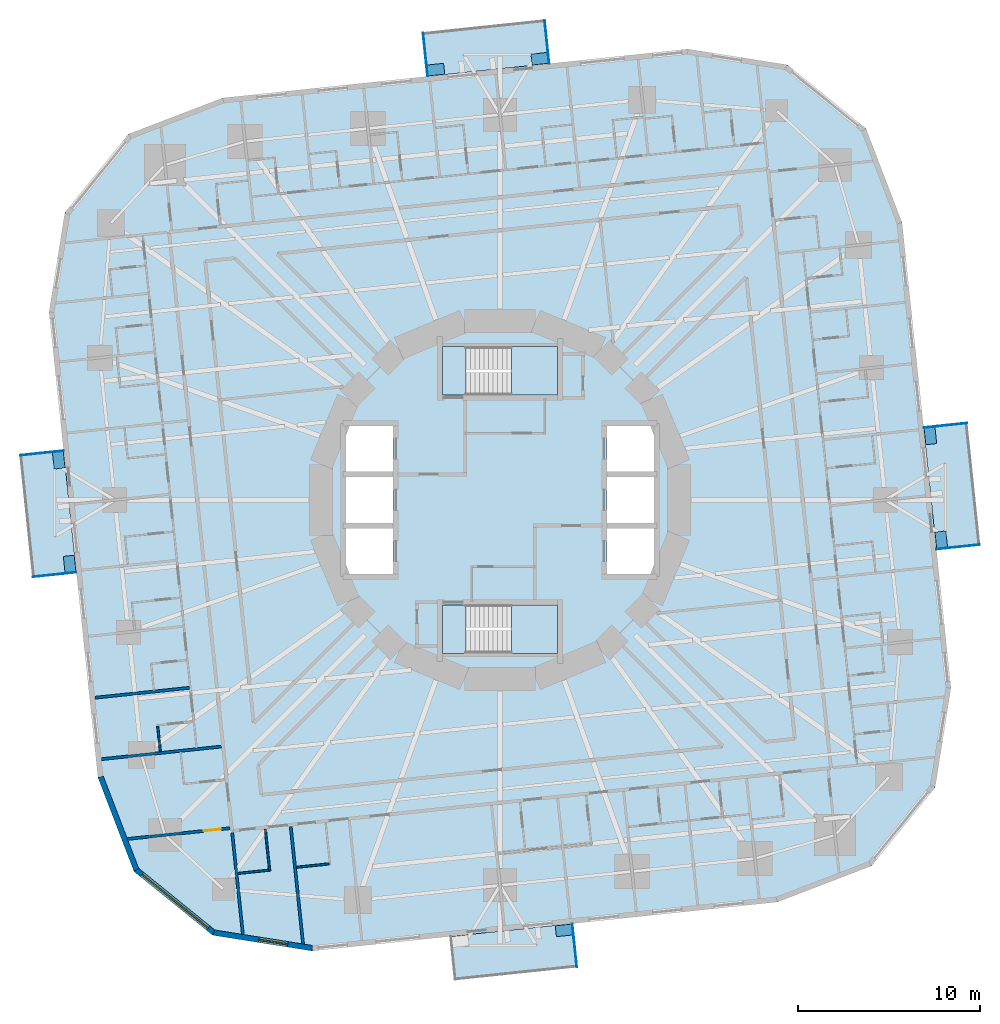
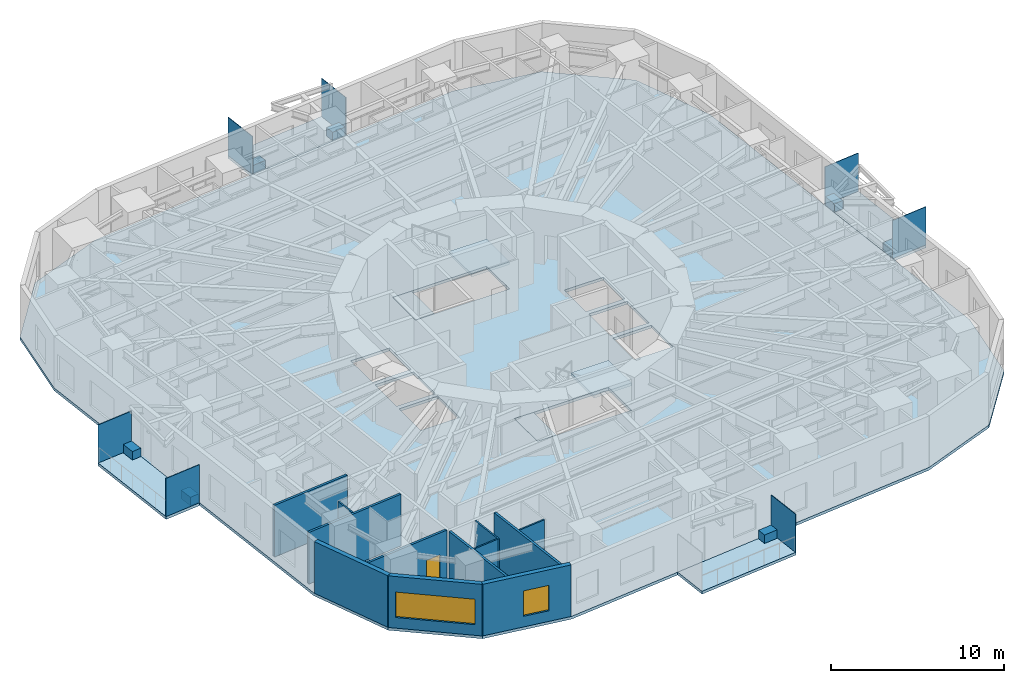
# One storey, part 4 of 15: 14 plates, 12 walls, 9 slabs, 2 windows, 1 door, 3 openings, 2 elements without a shape of their own.
"""IFC4 building model written with IfcOpenShell, lengths in metres."""

from ifc_helpers import new_model, si_unit, direction, frame, frame_2d, origin, origin_2d, place, context, subcontext, project, spatial, polyline, rectangle, outline, extrude, material, layer, layer_set, type_object, element, fill, aggregate, save


model = new_model("IFC4")

# Units and contexts
model_context = context("Model", 3, precision=1e-05, world=origin(), true_north=direction((0.0, 1.0)))
body_context = subcontext(model_context, "Body", "Model", "MODEL_VIEW")
ifc_project = project(units=[si_unit("LENGTHUNIT", "METRE"), si_unit("AREAUNIT", "SQUARE_METRE"), si_unit("VOLUMEUNIT", "CUBIC_METRE"), si_unit("PLANEANGLEUNIT", "RADIAN"), si_unit("MASSUNIT", "GRAM", prefix="KILO")], contexts=[model_context])

# Site, building, storey
site_placement = place(None, origin())
site = spatial("IfcSite", under=ifc_project, at=site_placement, CompositionType="ELEMENT")
building_placement = place(site_placement, origin())
building = spatial("IfcBuilding", under=site, at=building_placement, Name="Nakasero Lantern House", CompositionType="ELEMENT")
storey_placement = place(building_placement, frame((0.0, 0.0, 64.35009765625)))
storey = spatial("IfcBuildingStorey", under=building, at=storey_placement, Name="L15", CompositionType="ELEMENT", Elevation=64.35009765625)

# Plates
ifc_material_1 = material(Name="Aluminium 6063-T6", Category="aluminium")
ifc_layer_1 = layer(ifc_material_1, 0.60009765625)
ifc_layer_set_1 = layer_set([ifc_layer_1], Name="Balcony planter 600x900")
plate_type_1 = type_object("IfcPlateType", Name="Balcony planter 600x900", PredefinedType="USERDEFINED", material=ifc_layer_set_1)
for number, where, z_axis, x_axis, name in (
    (1, (24.1796875, -2.174560546875, -0.000244140625), (0.0, 0.0, 1.0), (0.994521895368, 0.104528463268, 0.0), "Balcony PLANTER L15 BAL0A"),
    (2, (23.58251953125, 3.507568359375, -0.000244140625), (0.0, 0.0, 1.0), (0.994521895368, 0.104528463268, 0.0), "Balcony PLANTER L15 BAL0B"),
    (3, (2.174560546875, 24.1796875, -0.000244140625), (0.0, 0.0, 1.0), (-0.104528463268, 0.994521895368, 0.0), "Balcony PLANTER L15 BAL1A"),
    (4, (-3.507568359375, 23.58251953125, -0.000244140625), (0.0, 0.0, 1.0), (-0.104528463268, 0.994521895368, 0.0), "Balcony PLANTER L15 BAL1B"),
    (5, (-24.1796875, 2.174560546875, -0.000244140625), (0.0, 0.0, 1.0), (-0.994521895368, -0.104528463268, 0.0), "Balcony PLANTER L15 BAL2A"),
    (6, (-23.58251953125, -3.507568359375, -0.000244140625), (0.0, 0.0, 1.0), (-0.994521895368, -0.104528463268, 0.0), "Balcony PLANTER L15 BAL2B"),
    (7, (3.507568359375, -23.58251953125, -0.000244140625), (0.0, 0.0, 1.0), (0.104528463268, -0.994521895368, 0.0), "Balcony PLANTER L15 BAL3B"),
):
    element("IfcPlate", number, at=place(storey_placement, frame(where, z_axis=z_axis, x_axis=x_axis)), inside=storey, type_object=plate_type_1, Name=name, ObjectType="PLANTER", PredefinedType="USERDEFINED", context=body_context, shape_type="SweptSolid", body=[
        extrude(rectangle(XDim=0.60009765625, YDim=0.89990234375, at=origin_2d()), origin(), (0.0, 0.0, 1.0), 0.60009765625),
    ])
ifc_material_2 = material(Name="Aluminium 6063-T6", Category="aluminium")
ifc_layer_2 = layer(ifc_material_2, 0.0400390625)
ifc_layer_set_2 = layer_set([ifc_layer_2], Name="Balcony screen 2400x2700")
plate_type_2 = type_object("IfcPlateType", Name="Balcony screen 2400x2700", PredefinedType="SHEET", material=ifc_layer_set_2)
for number, where, z_axis, x_axis, name in (
    (8, (25.106201171875, -2.56982421875, 0.0), (0.0, 0.0, 1.0), (0.994521895368, 0.104528463268, 0.0), "Balcony SCREEN L15 BAL0A"),
    (9, (24.406494140625, 4.0869140625, 0.0), (0.0, 0.0, 1.0), (0.994521895368, 0.104528463268, 0.0), "Balcony SCREEN L15 BAL0B"),
    (10, (2.56982421875, 25.106201171875, 0.0), (0.0, 0.0, 1.0), (-0.104528463268, 0.994521895368, 0.0), "Balcony SCREEN L15 BAL1A"),
    (11, (-4.0869140625, 24.406494140625, 0.0), (0.0, 0.0, 1.0), (-0.104528463268, 0.994521895368, 0.0), "Balcony SCREEN L15 BAL1B"),
    (12, (-25.106201171875, 2.56982421875, 0.0), (0.0, 0.0, 1.0), (-0.994521895368, -0.104528463268, 0.0), "Balcony SCREEN L15 BAL2A"),
    (13, (-24.406494140625, -4.0869140625, 0.0), (0.0, 0.0, 1.0), (-0.994521895368, -0.104528463268, 0.0), "Balcony SCREEN L15 BAL2B"),
    (14, (4.0869140625, -24.406494140625, 0.0), (0.0, 0.0, 1.0), (0.104528463268, -0.994521895368, 0.0), "Balcony SCREEN L15 BAL3B"),
):
    element("IfcPlate", number, at=place(storey_placement, frame(where, z_axis=z_axis, x_axis=x_axis)), inside=storey, type_object=plate_type_2, Name=name, PredefinedType="SHEET", context=body_context, shape_type="SweptSolid", body=[
        extrude(rectangle(XDim=2.39990234375, YDim=0.0400390625, at=origin_2d()), origin(), (0.0, 0.0, 1.0), 2.699951171875),
    ])

# Slabs
ifc_material_3 = material(Name="Concrete C35/45", Category="concrete")
ifc_layer_3 = layer(ifc_material_3, 0.199951171875)
ifc_layer_set_3 = layer_set([ifc_layer_3], Name="Balcony slab 200")
slab_type_1 = type_object("IfcSlabType", Name="Balcony slab 200", PredefinedType="USERDEFINED", material=ifc_layer_set_3)
slab_1_placement = place(storey_placement, frame((0.0, 0.0, -0.2001953125)))
element("IfcSlab", 15, at=slab_1_placement, inside=storey, type_object=slab_type_1, Name="Balcony L15 BAL0", ObjectType="BALCONY", PredefinedType="USERDEFINED", context=body_context, shape_type="SweptSolid", body=[
    extrude(outline(polyline([(23.914794921875, -2.715087890625), (26.3017578125, -2.464111328125), (25.597900390625, 4.232177734375), (23.2109375, 3.9814453125), (23.914794921875, -2.715087890625)])), origin(), (0.0, 0.0, 1.0), 0.2001953125),
])
slab_2_placement = place(storey_placement, frame((0.0, 0.0, -0.2001953125)))
element("IfcSlab", 16, at=slab_2_placement, inside=storey, type_object=slab_type_1, Name="Balcony L15 BAL1", ObjectType="BALCONY", PredefinedType="USERDEFINED", context=body_context, shape_type="SweptSolid", body=[
    extrude(outline(polyline([(2.715087890625, 23.914794921875), (2.464111328125, 26.3017578125), (-4.232177734375, 25.597900390625), (-3.9814453125, 23.2109375), (2.715087890625, 23.914794921875)])), origin(), (0.0, 0.0, 1.0), 0.2001953125),
])
slab_3_placement = place(storey_placement, frame((0.0, 0.0, -0.2001953125)))
element("IfcSlab", 17, at=slab_3_placement, inside=storey, type_object=slab_type_1, Name="Balcony L15 BAL2", ObjectType="BALCONY", PredefinedType="USERDEFINED", context=body_context, shape_type="SweptSolid", body=[
    extrude(outline(polyline([(-23.914794921875, 2.715087890625), (-26.3017578125, 2.464111328125), (-25.597900390625, -4.232177734375), (-23.2109375, -3.9814453125), (-23.914794921875, 2.715087890625)])), origin(), (0.0, 0.0, 1.0), 0.2001953125),
])
slab_4_placement = place(storey_placement, frame((0.0, 0.0, -0.2001953125)))
element("IfcSlab", 18, at=slab_4_placement, inside=storey, type_object=slab_type_1, Name="Balcony L15 BAL3", ObjectType="BALCONY", PredefinedType="USERDEFINED", context=body_context, shape_type="SweptSolid", body=[
    extrude(outline(polyline([(-2.715087890625, -23.914794921875), (-2.464111328125, -26.3017578125), (4.232177734375, -25.597900390625), (3.9814453125, -23.2109375), (-2.715087890625, -23.914794921875)])), origin(), (0.0, 0.0, 1.0), 0.2001953125),
])
ifc_material_4 = material(Name="Concrete C35/45", Category="concrete")
ifc_layer_4 = layer(ifc_material_4, 0.199951171875)
ifc_layer_set_4 = layer_set([ifc_layer_4], Name="Composite floor slab 200")
slab_type_2 = type_object("IfcSlabType", Name="Composite floor slab 200", PredefinedType="FLOOR", material=ifc_layer_set_4)
slab_5_placement = place(storey_placement, frame((0.0, 0.0, -0.2001953125)))
element("IfcSlab", 19, at=slab_5_placement, inside=storey, type_object=slab_type_2, Name="Floor slab L15", PredefinedType="FLOOR", context=body_context, shape_type="SweptSolid", body=[
    extrude(outline(polyline([(22.033203125, 15.186279296875), (20.04833984375, 20.357177734375), (15.743896484375, 23.8427734375), (10.2734375, 24.709228515625), (-15.186279296875, 22.033203125), (-20.357177734375, 20.04833984375), (-23.8427734375, 15.743896484375), (-24.709228515625, 10.2734375), (-22.033203125, -15.186279296875), (-20.04833984375, -20.357177734375), (-15.743896484375, -23.8427734375), (-10.2734375, -24.709228515625), (15.186279296875, -22.033203125), (20.357177734375, -20.04833984375), (23.8427734375, -15.743896484375), (24.709228515625, -10.2734375), (22.033203125, 15.186279296875)]), holes=[polyline([(-8.449951171875, -4.050048828125), (-5.85009765625, -4.050048828125), (-5.85009765625, -1.550048828125), (-8.449951171875, -1.550048828125), (-8.449951171875, -4.050048828125)]), polyline([(-8.449951171875, -1.25), (-5.85009765625, -1.25), (-5.85009765625, 1.25), (-8.449951171875, 1.25), (-8.449951171875, -1.25)]), polyline([(-8.449951171875, 1.550048828125), (-5.85009765625, 1.550048828125), (-5.85009765625, 4.050048828125), (-8.449951171875, 4.050048828125), (-8.449951171875, 1.550048828125)]), polyline([(5.85009765625, -4.050048828125), (8.449951171875, -4.050048828125), (8.449951171875, -1.550048828125), (5.85009765625, -1.550048828125), (5.85009765625, -4.050048828125)]), polyline([(5.85009765625, -1.25), (8.449951171875, -1.25), (8.449951171875, 1.25), (5.85009765625, 1.25), (5.85009765625, -1.25)]), polyline([(5.85009765625, 1.550048828125), (8.449951171875, 1.550048828125), (8.449951171875, 4.050048828125), (5.85009765625, 4.050048828125), (5.85009765625, 1.550048828125)]), polyline([(-3.14990234375, 5.75), (3.14990234375, 5.75), (3.14990234375, 8.39990234375), (-3.14990234375, 8.39990234375), (-3.14990234375, 5.75)]), polyline([(-3.14990234375, -8.39990234375), (3.14990234375, -8.39990234375), (3.14990234375, -5.75), (-3.14990234375, -5.75), (-3.14990234375, -8.39990234375)])]), origin(), (0.0, 0.0, 1.0), 0.2001953125),
])

# Stair, slabs
ifc_material_5 = material(Name="Concrete C40/50", Category="concrete")
stair_type_1 = type_object("IfcStairType", Name="Escape stair ST1 22 risers", PredefinedType="HALF_TURN_STAIR", material=ifc_material_5)
stair_1_placement = place(storey_placement, origin())
stair_1 = element("IfcStair", 20, at=stair_1_placement, inside=storey, type_object=stair_type_1, Name="Escape stair ST1 L15", PredefinedType="HALF_TURN_STAIR")
ifc_material_6 = material(Name="Concrete C40/50", Category="concrete")
ifc_layer_5 = layer(ifc_material_6, 0.199951171875)
ifc_layer_set_5 = layer_set([ifc_layer_5], Name="Stair landing 200")
slab_type_3 = type_object("IfcSlabType", Name="Stair landing 200", PredefinedType="LANDING", material=ifc_layer_set_5)
slab_6_placement = place(storey_placement, frame((0.0, 0.0, -0.2001953125)))
slab_6 = element("IfcSlab", 21, at=slab_6_placement, type_object=slab_type_3, Name="ST1 landing 1", PredefinedType="LANDING", context=body_context, shape_type="SweptSolid", body=[
    extrude(outline(polyline([(-3.14990234375, 5.75), (-1.875, 5.75), (-1.875, 8.39990234375), (-3.14990234375, 8.39990234375), (-3.14990234375, 5.75)])), origin(), (0.0, 0.0, 1.0), 0.2001953125),
])
slab_7_placement = place(storey_placement, frame((0.0, 0.0, 1.724853515625)))
slab_7 = element("IfcSlab", 22, at=slab_7_placement, type_object=slab_type_3, Name="ST1 landing 2", PredefinedType="LANDING", context=body_context, shape_type="SweptSolid", body=[
    extrude(outline(polyline([(0.625, 5.75), (3.14990234375, 5.75), (3.14990234375, 8.39990234375), (0.625, 8.39990234375), (0.625, 5.75)])), origin(), (0.0, 0.0, 1.0), 0.199951171875),
])
aggregate(stair_1, [slab_6, slab_7])

ifc_material_7 = material(Name="Concrete C40/50", Category="concrete")
stair_type_2 = type_object("IfcStairType", Name="Escape stair ST2 22 risers", PredefinedType="HALF_TURN_STAIR", material=ifc_material_7)
stair_2_placement = place(storey_placement, origin())
stair_2 = element("IfcStair", 23, at=stair_2_placement, inside=storey, type_object=stair_type_2, Name="Escape stair ST2 L15", PredefinedType="HALF_TURN_STAIR")
slab_8_placement = place(storey_placement, frame((0.0, 0.0, -0.2001953125)))
slab_8 = element("IfcSlab", 24, at=slab_8_placement, type_object=slab_type_3, Name="ST2 landing 1", PredefinedType="LANDING", context=body_context, shape_type="SweptSolid", body=[
    extrude(outline(polyline([(-3.14990234375, -8.39990234375), (-1.875, -8.39990234375), (-1.875, -5.75), (-3.14990234375, -5.75), (-3.14990234375, -8.39990234375)])), origin(), (0.0, 0.0, 1.0), 0.2001953125),
])
slab_9_placement = place(storey_placement, frame((0.0, 0.0, 1.724853515625)))
slab_9 = element("IfcSlab", 25, at=slab_9_placement, type_object=slab_type_3, Name="ST2 landing 2", PredefinedType="LANDING", context=body_context, shape_type="SweptSolid", body=[
    extrude(outline(polyline([(0.625, -8.39990234375), (3.14990234375, -8.39990234375), (3.14990234375, -5.75), (0.625, -5.75), (0.625, -8.39990234375)])), origin(), (0.0, 0.0, 1.0), 0.199951171875),
])
aggregate(stair_2, [slab_8, slab_9])

# Walls
ifc_material_8 = material(Name="Blockwork", Category="masonry")
ifc_layer_6 = layer(ifc_material_8, 0.10009765625)
ifc_layer_set_6 = layer_set([ifc_layer_6], Name="En-suite wall 100")
wall_type_1 = type_object("IfcWallType", Name="En-suite wall 100", PredefinedType="PARTITIONING", material=ifc_layer_set_6)
wall_1_placement = place(storey_placement, frame((-18.757080078125, -12.394775390625, 0.0), z_axis=(0.0, 0.0, 1.0), x_axis=(0.104457839748, -0.994529315664, 0.0)))
element("IfcWall", 26, at=wall_1_placement, inside=storey, type_object=wall_type_1, Name="En-suite wall L15 EE2-07", PredefinedType="PARTITIONING", context=body_context, shape_type="SweptSolid", body=[
    extrude(rectangle(XDim=1.39990234375, YDim=0.10009765625, at=frame_2d((0.699951171875, 0.0))), origin(), (0.0, 0.0, 1.0), 3.64990234375),
])
wall_2_placement = place(storey_placement, frame((-12.859375, -18.04296875, 0.0), z_axis=(0.0, 0.0, 1.0), x_axis=(0.104452703326, -0.994529855142, 0.0)))
element("IfcWall", 27, at=wall_2_placement, inside=storey, type_object=wall_type_1, Name="En-suite wall L15 ES3-00", PredefinedType="PARTITIONING", context=body_context, shape_type="SweptSolid", body=[
    extrude(rectangle(XDim=2.300048828125, YDim=0.10009765625, at=frame_2d((1.14990234375, 0.0))), origin(), (0.0, 0.0, 1.0), 3.64990234375),
])
wall_3_placement = place(storey_placement, frame((-14.36474609375, -20.463623046875, 0.0), z_axis=(0.0, 0.0, 1.0), x_axis=(0.994519608382, 0.104550220202, 0.0)))
element("IfcWall", 28, at=wall_3_placement, inside=storey, type_object=wall_type_1, Name="En-suite wall L15 EE3-00", PredefinedType="PARTITIONING", context=body_context, shape_type="SweptSolid", body=[
    extrude(rectangle(XDim=1.699951171875, YDim=0.10009765625, at=frame_2d((0.85009765625, 0.0))), origin(), (0.0, 0.0, 1.0), 3.64990234375),
])
wall_4_placement = place(storey_placement, frame((-11.156982421875, -20.12646484375, 0.0), z_axis=(0.0, 0.0, 1.0), x_axis=(0.994516595821, 0.104578872801, 0.0)))
element("IfcWall", 29, at=wall_4_placement, inside=storey, type_object=wall_type_1, Name="En-suite wall L15 EE3-01", PredefinedType="PARTITIONING", context=body_context, shape_type="SweptSolid", body=[
    extrude(rectangle(XDim=1.7998046875, YDim=0.10009765625, at=frame_2d((0.89990234375, 0.0))), origin(), (0.0, 0.0, 1.0), 3.64990234375),
])
ifc_material_9 = material(Name="Aluminium rainscreen on blockwork", Category="masonry")
ifc_layer_7 = layer(ifc_material_9, 0.300048828125)
ifc_layer_set_7 = layer_set([ifc_layer_7], Name="Facade wall 300")
wall_type_2 = type_object("IfcWallType", Name="Facade wall 300", PredefinedType="SOLIDWALL", material=ifc_layer_set_7)
wall_5_placement = place(storey_placement, frame((-21.884033203125, -15.170654296875, 0.0), z_axis=(0.0, 0.0, 1.0), x_axis=(0.358358884793, -0.933583906079, 0.0)))
element("IfcWall", 30, at=wall_5_placement, inside=storey, type_object=wall_type_2, Name="Facade wall L15 FW2C1", PredefinedType="SOLIDWALL", context=body_context, shape_type="SweptSolid", body=[
    extrude(rectangle(XDim=5.461181640625, YDim=0.300048828125, at=frame_2d((2.73046875, 0.0))), origin(), (0.0, 0.0, 1.0), 3.64990234375),
])

# Wall, opening, window
wall_6_placement = place(storey_placement, frame((-19.927001953125, -20.26904296875, 0.0), z_axis=(0.0, 0.0, 1.0), x_axis=(0.777134500863, -0.629334543442, 0.0)))
wall_6 = element("IfcWall", 31, at=wall_6_placement, inside=storey, type_object=wall_type_2, Name="Facade wall L15 FW2C2", PredefinedType="SOLIDWALL", context=body_context, shape_type="SweptSolid", body=[
    extrude(rectangle(XDim=5.4609375, YDim=0.300048828125, at=frame_2d((2.73046875, 0.0))), origin(), (0.0, 0.0, 1.0), 3.64990234375),
])
opening_1_placement = place(wall_6_placement, frame((0.39990234375, 0.0, 0.75)))
opening_1 = element("IfcOpeningElement", 32, at=opening_1_placement, cuts=wall_6, Name="Opening W246", PredefinedType="OPENING", context=body_context, shape_type="SweptSolid", body=[
    extrude(rectangle(XDim=4.660888671875, YDim=1.800048828125, at=frame_2d((2.33056640625, 0.89990234375))), frame((0.0, 0.169921875, 0.0), z_axis=(0.0, -1.0, 0.0), x_axis=(1.0, 0.0, 0.0)), (0.0, 0.0, 1.0), 0.340087890625),
])
ifc_material_10 = material(Name="Aluminium 6063-T6 and glass", Category="aluminium")
window_type_1 = type_object("IfcWindowType", Name="Corner window 4661x1800", PartitioningType="SINGLE_PANEL", PredefinedType="WINDOW", material=ifc_material_10)
window_1_placement = place(opening_1_placement, origin())
window_1 = element("IfcWindow", 33, at=window_1_placement, inside=storey, type_object=window_type_1, Name="Window L15 WC2", OverallHeight=1.800048828125, OverallWidth=4.660888671875, PartitioningType="SINGLE_PANEL", PredefinedType="WINDOW", context=body_context, shape_type="SweptSolid", body=[
    extrude(rectangle(XDim=4.660888671875, YDim=1.800048828125, at=frame_2d((2.33056640625, 0.89990234375))), frame((0.0, 0.030029296875, 0.0), z_axis=(0.0, -1.0, 0.0), x_axis=(1.0, 0.0, 0.0)), (0.0, 0.0, 1.0), 0.06005859375),
])
fill(opening_1, window_1)

wall_7_placement = place(storey_placement, frame((-15.68310546875, -23.705810546875, 0.0), z_axis=(0.0, 0.0, 1.0), x_axis=(0.987690729142, -0.156419383601, 0.0)))
wall_7 = element("IfcWall", 34, at=wall_7_placement, inside=storey, type_object=wall_type_2, Name="Facade wall L15 FW2C3", PredefinedType="SOLIDWALL", context=body_context, shape_type="SweptSolid", body=[
    extrude(rectangle(XDim=5.461181640625, YDim=0.300048828125, at=frame_2d((2.73046875, 0.0))), origin(), (0.0, 0.0, 1.0), 3.64990234375),
])
opening_2_placement = place(wall_7_placement, frame((2.5, 0.0, 0.75)))
opening_2 = element("IfcOpeningElement", 35, at=opening_2_placement, cuts=wall_7, Name="Opening W01", PredefinedType="OPENING", context=body_context, shape_type="SweptSolid", body=[
    extrude(rectangle(XDim=1.60009765625, YDim=1.800048828125, at=frame_2d((0.800048828125, 0.89990234375))), frame((0.0, 0.169921875, 0.0), z_axis=(0.0, -1.0, 0.0), x_axis=(1.0, 0.0, 0.0)), (0.0, 0.0, 1.0), 0.340087890625),
])
ifc_material_11 = material(Name="Aluminium 6063-T6 and glass", Category="aluminium")
window_type_2 = type_object("IfcWindowType", Name="Bedroom window 1600x1800", PartitioningType="SINGLE_PANEL", PredefinedType="WINDOW", material=ifc_material_11)
window_2_placement = place(opening_2_placement, origin())
window_2 = element("IfcWindow", 36, at=window_2_placement, inside=storey, type_object=window_type_2, Name="Window L15 WN3-00", OverallHeight=1.800048828125, OverallWidth=1.60009765625, PartitioningType="SINGLE_PANEL", PredefinedType="WINDOW", context=body_context, shape_type="SweptSolid", body=[
    extrude(rectangle(XDim=1.60009765625, YDim=1.800048828125, at=frame_2d((0.800048828125, 0.89990234375))), frame((0.0, 0.030029296875, 0.0), z_axis=(0.0, -1.0, 0.0), x_axis=(1.0, 0.0, 0.0)), (0.0, 0.0, 1.0), 0.06005859375),
])
fill(opening_2, window_2)

# Walls
ifc_material_12 = material(Name="Blockwork", Category="masonry")
ifc_layer_8 = layer(ifc_material_12, 0.14990234375)
ifc_layer_set_8 = layer_set([ifc_layer_8], Name="Party wall 150")
wall_type_3 = type_object("IfcWallType", Name="Party wall 150", PredefinedType="PARTITIONING", material=ifc_layer_set_8)
wall_8_placement = place(storey_placement, frame((-17.017578125, -10.290771484375, 0.0), z_axis=(0.0, 0.0, 1.0), x_axis=(-0.994523446942, -0.104513699976, 0.0)))
element("IfcWall", 37, at=wall_8_placement, inside=storey, type_object=wall_type_3, Name="Party wall L15 PW2-07", PredefinedType="PARTITIONING", context=body_context, shape_type="SweptSolid", body=[
    extrude(rectangle(XDim=5.199951171875, YDim=0.14990234375, at=frame_2d((2.60009765625, 0.0))), origin(), (0.0, 0.0, 1.0), 3.64990234375),
])
wall_9_placement = place(storey_placement, frame((-15.271240234375, -13.511474609375, 0.0), z_axis=(0.0, 0.0, 1.0), x_axis=(-0.994521251134, -0.104534592565, 0.0)))
element("IfcWall", 38, at=wall_9_placement, inside=storey, type_object=wall_type_3, Name="Party wall L15 PW2-08", PredefinedType="PARTITIONING", context=body_context, shape_type="SweptSolid", body=[
    extrude(rectangle(XDim=6.60009765625, YDim=0.14990234375, at=frame_2d((3.300048828125, 0.0))), origin(), (0.0, 0.0, 1.0), 3.64990234375),
])

# Wall, opening, door
wall_10_placement = place(storey_placement, frame((-14.801025390625, -17.9853515625, 0.0), z_axis=(0.0, 0.0, 1.0), x_axis=(-0.994522751177, -0.104520320471, 0.0)))
wall_10 = element("IfcWall", 39, at=wall_10_placement, inside=storey, type_object=wall_type_3, Name="Party wall L15 PC2", PredefinedType="PARTITIONING", context=body_context, shape_type="SweptSolid", body=[
    extrude(rectangle(XDim=5.64111328125, YDim=0.14990234375, at=frame_2d((2.820556640625, 0.0))), origin(), (0.0, 0.0, 1.0), 3.64990234375),
])
opening_3_placement = place(wall_10_placement, frame((0.5, 0.0, 0.0)))
opening_3 = element("IfcOpeningElement", 40, at=opening_3_placement, cuts=wall_10, Name="Opening D01", PredefinedType="OPENING", context=body_context, shape_type="SweptSolid", body=[
    extrude(rectangle(XDim=0.949951171875, YDim=2.10009765625, at=frame_2d((0.47509765625, 1.050048828125))), frame((0.0, 0.094970703125, 0.0), z_axis=(0.0, -1.0, 0.0), x_axis=(1.0, 0.0, 0.0)), (0.0, 0.0, 1.0), 0.18994140625),
])
ifc_material_13 = material(Name="Timber C24", Category="wood")
door_type = type_object("IfcDoorType", Name="Bedroom door FD30S 950", OperationType="SINGLE_SWING_LEFT", PredefinedType="DOOR", material=ifc_material_13)
door_placement = place(opening_3_placement, origin())
door = element("IfcDoor", 41, at=door_placement, inside=storey, type_object=door_type, Name="Door L15 DC2", OperationType="SINGLE_SWING_LEFT", OverallHeight=2.10009765625, OverallWidth=0.949951171875, PredefinedType="DOOR", context=body_context, shape_type="SweptSolid", body=[
    extrude(rectangle(XDim=0.949951171875, YDim=2.10009765625, at=frame_2d((0.47509765625, 1.050048828125))), frame((0.0, 0.02490234375, 0.0), z_axis=(0.0, -1.0, 0.0), x_axis=(1.0, 0.0, 0.0)), (0.0, 0.0, 1.0), 0.050048828125),
])
fill(opening_3, door)

# Walls
wall_11_placement = place(storey_placement, frame((-14.674560546875, -18.23388671875, 0.0), z_axis=(0.0, 0.0, 1.0), x_axis=(0.104541754786, -0.994520498284, 0.0)))
element("IfcWall", 42, at=wall_11_placement, inside=storey, type_object=wall_type_3, Name="Party wall L15 PW3-00", PredefinedType="PARTITIONING", context=body_context, shape_type="SweptSolid", body=[
    extrude(rectangle(XDim=5.597900390625, YDim=0.14990234375, at=frame_2d((2.798828125, 0.0))), origin(), (0.0, 0.0, 1.0), 3.64990234375),
])
wall_12_placement = place(storey_placement, frame((-11.466796875, -17.896728515625, 0.0), z_axis=(0.0, 0.0, 1.0), x_axis=(0.10453728607, -0.994520968015, 0.0)))
element("IfcWall", 43, at=wall_12_placement, inside=storey, type_object=wall_type_3, Name="Party wall L15 PW3-01", PredefinedType="PARTITIONING", context=body_context, shape_type="SweptSolid", body=[
    extrude(rectangle(XDim=6.462158203125, YDim=0.14990234375, at=frame_2d((3.23095703125, 0.0))), origin(), (0.0, 0.0, 1.0), 3.64990234375),
])

save(model, "model.ifc")
